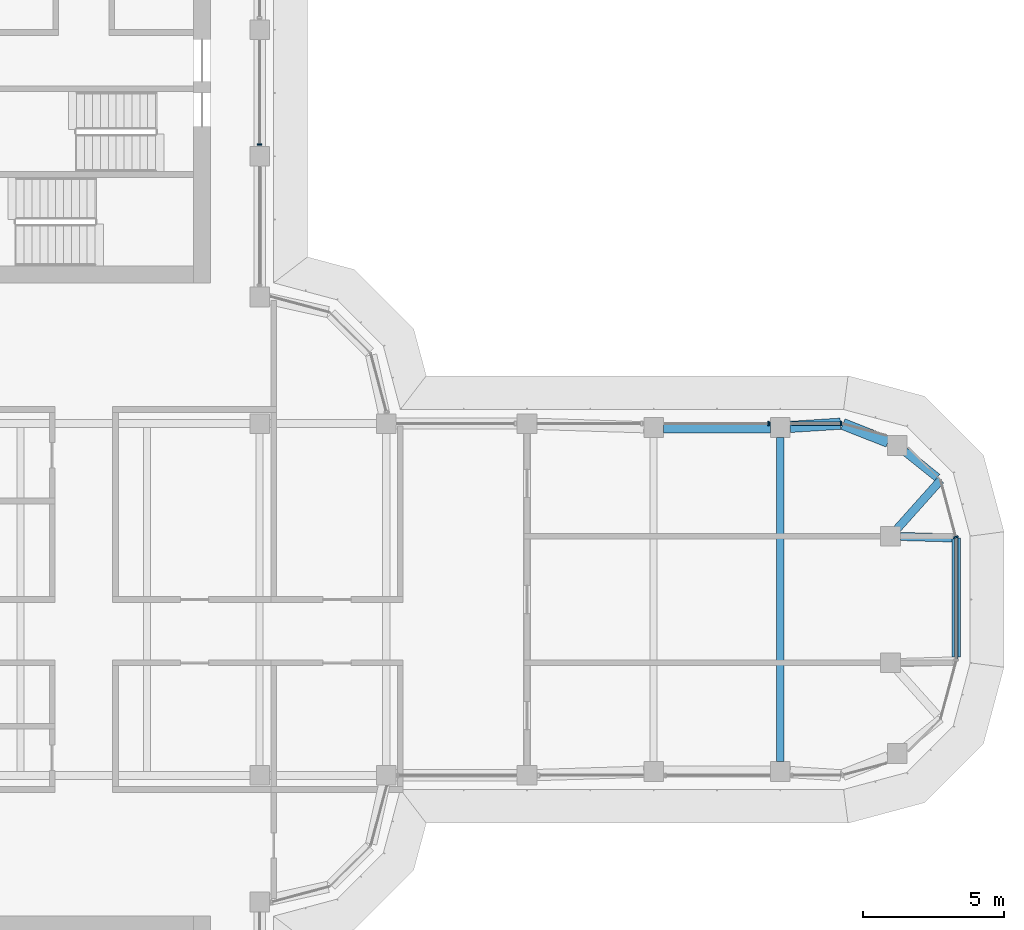
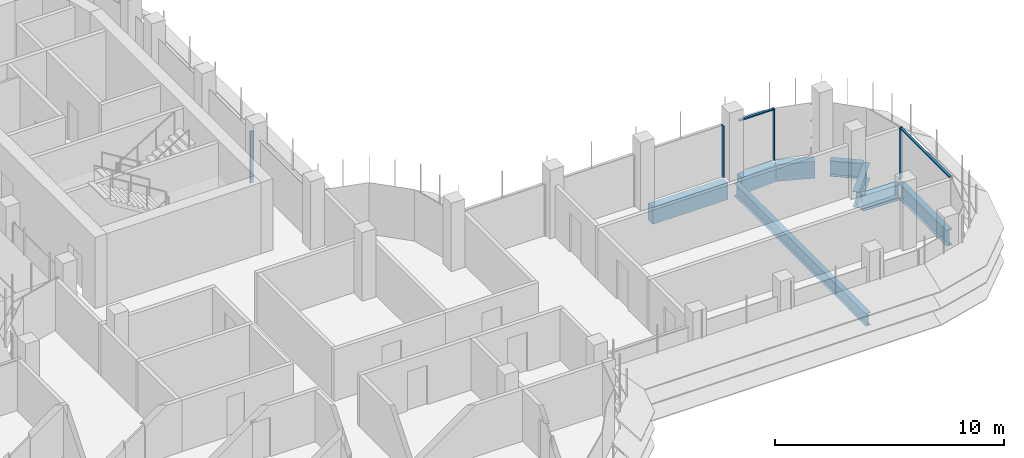
# One storey, part 9 of 19: 8 beams, 6 members, 4 elements without a shape of their own.
"""IFC4 building model written with IfcOpenShell, lengths in metres."""

from ifc_helpers import new_model, si_unit, direction, frame, origin, origin_2d, place, context, subcontext, project, spatial, polyline, rectangle, i_section, outline, extrude, source, transform, mapped, material, material_profile, profile_set, type_object, element, aggregate, save


model = new_model("IFC4")

# Units and contexts
model_context = context("Model", 3, precision=1e-05, world=origin(), true_north=direction((0.0, 1.0)))
body_context = subcontext(model_context, "Body", "Model", "MODEL_VIEW")
ifc_project = project(units=[si_unit("LENGTHUNIT", "METRE"), si_unit("AREAUNIT", "SQUARE_METRE"), si_unit("VOLUMEUNIT", "CUBIC_METRE"), si_unit("PLANEANGLEUNIT", "RADIAN"), si_unit("MASSUNIT", "GRAM", prefix="KILO")], contexts=[model_context])

# Site, building, storey
site_placement = place(None, origin())
site = spatial("IfcSite", under=ifc_project, at=site_placement, CompositionType="ELEMENT")
building_placement = place(site_placement, origin())
building = spatial("IfcBuilding", under=site, at=building_placement, Name="Zarbagh Exchange Tower", CompositionType="ELEMENT")
storey_placement = place(building_placement, frame((0.0, 0.0, 199.199951171875)))
storey = spatial("IfcBuildingStorey", under=building, at=storey_placement, Name="L48", CompositionType="ELEMENT", Elevation=199.199951171875)

# Beams
ifc_material_1 = material(Name="Steel ASTM A992 Gr 50", Category="steel")
ifc_material_profile_1 = material_profile(ifc_material_1, i_section(OverallWidth=0.25390625, OverallDepth=0.67822265625, WebThickness=0.01171875, FlangeThickness=0.016357421875, at=origin_2d()), Name="W27X84")
ifc_profile_set_1 = profile_set([ifc_material_profile_1], Name="Steel ASTM A992 Gr 50")
beam_type_1 = type_object("IfcBeamType", Name="Floor beam W27X84", PredefinedType="BEAM", material=ifc_profile_set_1)
beam_1_placement = place(storey_placement, frame((24.75, -5.760009765625, -0.489013671875), z_axis=(0.0, 1.0, 0.0), x_axis=(-1.0, 0.0, 0.0)))
element("IfcBeam", 1, at=beam_1_placement, inside=storey, type_object=beam_type_1, Name="Steel floor beam", PredefinedType="BEAM", context=body_context, shape_type="SweptSolid", body=[
    extrude(i_section(OverallWidth=0.25390625, OverallDepth=0.67822265625, WebThickness=0.01171875, FlangeThickness=0.016357421875, at=origin_2d()), origin(), (0.0, 0.0, 1.0), 11.52001953125),
])
ifc_material_profile_2 = material_profile(ifc_material_1, i_section(OverallWidth=0.2919921875, OverallDepth=0.835693359375, WebThickness=0.013916015625, FlangeThickness=0.018798828125, at=origin_2d()), Name="W33X118")
ifc_profile_set_2 = profile_set([ifc_material_profile_2], Name="Steel ASTM A992 Gr 50")
beam_type_2 = type_object("IfcBeamType", Name="Floor girder W33X118", PredefinedType="BEAM", material=ifc_profile_set_2)
beam_2_placement = place(storey_placement, frame((29.18115234375, 5.256103515625, -0.56787109375), z_axis=(0.780625690962, -0.624998824487, 0.0), x_axis=(0.624998824487, 0.780625690962, 0.0)))
element("IfcBeam", 2, at=beam_2_placement, inside=storey, type_object=beam_type_2, Name="Steel girder", PredefinedType="BEAM", context=body_context, shape_type="SweptSolid", body=[
    extrude(i_section(OverallWidth=0.2919921875, OverallDepth=0.835693359375, WebThickness=0.013916015625, FlangeThickness=0.018798828125, at=origin_2d()), origin(), (0.0, 0.0, 1.0), 1.469970703125),
])
beam_3_placement = place(storey_placement, frame((30.44873046875, 4.2412109375, -0.56787109375), z_axis=(-0.66615169279, -0.745816279115, 0.0), x_axis=(0.745816279115, -0.66615169279, 0.0)))
element("IfcBeam", 3, at=beam_3_placement, inside=storey, type_object=beam_type_2, Name="Steel girder", PredefinedType="BEAM", context=body_context, shape_type="SweptSolid", body=[
    extrude(i_section(OverallWidth=0.2919921875, OverallDepth=0.835693359375, WebThickness=0.013916015625, FlangeThickness=0.018798828125, at=origin_2d()), origin(), (0.0, 0.0, 1.0), 2.31982421875),
])
beam_4_placement = place(storey_placement, frame((29.02001953125, 2.239990234375, -0.56787109375), z_axis=(0.999603805015, -0.028146633904, 0.0), x_axis=(0.028146633904, 0.999603805015, 0.0)))
element("IfcBeam", 4, at=beam_4_placement, inside=storey, type_object=beam_type_2, Name="Steel girder", PredefinedType="BEAM", context=body_context, shape_type="SweptSolid", body=[
    extrude(i_section(OverallWidth=0.2919921875, OverallDepth=0.835693359375, WebThickness=0.013916015625, FlangeThickness=0.018798828125, at=origin_2d()), origin(), (0.0, 0.0, 1.0), 1.8388671875),
])
beam_5_placement = place(storey_placement, frame((31.0, 2.18408203125, -0.56787109375), z_axis=(0.0, -1.0, 0.0), x_axis=(1.0, 0.0, 0.0)))
element("IfcBeam", 5, at=beam_5_placement, inside=storey, type_object=beam_type_2, Name="Steel girder", PredefinedType="BEAM", context=body_context, shape_type="SweptSolid", body=[
    extrude(i_section(OverallWidth=0.2919921875, OverallDepth=0.835693359375, WebThickness=0.013916015625, FlangeThickness=0.018798828125, at=origin_2d()), origin(), (0.0, 0.0, 1.0), 4.226318359375),
])
ifc_material_2 = material(Name="Concrete C50/60", Category="concrete")
ifc_material_profile_3 = material_profile(ifc_material_2, rectangle(XDim=0.39990234375, YDim=0.89990234375, at=origin_2d()), Name="RC spandrel beam 400 x 900 C50/60")
ifc_profile_set_3 = profile_set([ifc_material_profile_3], Name="Concrete C50/60")
beam_type_3 = type_object("IfcBeamType", Name="RC spandrel beam 400 x 900 C50/60", PredefinedType="SPANDREL", material=ifc_profile_set_3)
beam_6_placement = place(storey_placement, frame((20.60009765625, 6.110107421875, -0.599853515625), z_axis=(1.0, 0.0, 0.0), x_axis=(0.0, 1.0, 0.0)))
element("IfcBeam", 6, at=beam_6_placement, inside=storey, type_object=beam_type_3, Name="RC spandrel beam", PredefinedType="SPANDREL", context=body_context, shape_type="SweptSolid", body=[
    extrude(rectangle(XDim=0.39990234375, YDim=0.89990234375, at=origin_2d()), origin(), (0.0, 0.0, 1.0), 3.7998046875),
])
beam_7_placement = place(storey_placement, frame((25.099365234375, 6.13232421875, -0.599853515625), z_axis=(0.997943601797, 0.064098109429, 0.0), x_axis=(-0.064098109429, 0.997943601797, 0.0)))
element("IfcBeam", 7, at=beam_7_placement, inside=storey, type_object=beam_type_3, Name="RC spandrel beam", PredefinedType="SPANDREL", context=body_context, shape_type="SweptSolid", body=[
    extrude(rectangle(XDim=0.39990234375, YDim=0.89990234375, at=origin_2d()), origin(), (0.0, 0.0, 1.0), 1.7939453125),
])
beam_8_placement = place(storey_placement, frame((26.9755859375, 6.233642578125, -0.599853515625), z_axis=(0.930818525178, -0.365481700207, 0.0), x_axis=(0.365481700207, 0.930818525178, 0.0)))
element("IfcBeam", 8, at=beam_8_placement, inside=storey, type_object=beam_type_3, Name="RC spandrel beam", PredefinedType="SPANDREL", context=body_context, shape_type="SweptSolid", body=[
    extrude(rectangle(XDim=0.39990234375, YDim=0.89990234375, at=origin_2d()), origin(), (0.0, 0.0, 1.0), 1.72607421875),
])

# Curtain wall, member
ifc_material_3 = material(Name="Anodised aluminium frame and glazing", Category="aluminium")
curtain_wall_type = type_object("IfcCurtainWallType", Name="CWB Ribbon glazing, upper zones", PredefinedType="NOTDEFINED", material=ifc_material_3)
curtain_wall_1_placement = place(storey_placement, origin())
curtain_wall_1 = element("IfcCurtainWall", 9, at=curtain_wall_1_placement, inside=storey, type_object=curtain_wall_type, Name="CWB13 curtain wall", PredefinedType="NOTDEFINED")
ifc_material_4 = material(Name="Anodised aluminium frame", Category="aluminium")
member_type_1 = type_object("IfcMemberType", Name="MUB Mullion, anodised aluminium frame", PredefinedType="MULLION", material=ifc_material_4)
shared_shape_1 = source(origin(), body_context, "Body", "SweptSolid", [
    extrude(outline(polyline([(0.0, -0.080078125), (0.06005859375, -0.080078125), (0.06005859375, 0.080078125), (0.0, 0.080078125), (0.0, -0.080078125)])), origin(), (0.0, 0.0, 1.0), 2.75),
])
placement = place(storey_placement, origin())
member_1 = element("IfcMember", 10, at=placement, type_object=member_type_1, Name="CWB13 mullion 1.1", PredefinedType="MULLION", context=body_context, shape_type="MappedRepresentation", body=[
    mapped(shared_shape_1, transform((31.0, 2.18408203125, 0.0), x_axis=(-0.258824779902, 0.965924289636, 0.0), y_axis=(-0.965924289636, -0.258824779902, 0.0), z_axis=(0.0, 0.0, 1.0))),
])
aggregate(curtain_wall_1, [member_1])

# Curtain wall, members
curtain_wall_2_placement = place(storey_placement, origin())
curtain_wall_2 = element("IfcCurtainWall", 11, at=curtain_wall_2_placement, inside=storey, type_object=curtain_wall_type, Name="CWB16 curtain wall", PredefinedType="NOTDEFINED")
member_2 = element("IfcMember", 12, at=placement, type_object=member_type_1, Name="CWB16 mullion 1.1", PredefinedType="MULLION", context=body_context, shape_type="MappedRepresentation", body=[
    mapped(shared_shape_1, transform((26.93408203125, 6.25, 0.0), x_axis=(-1.0, 0.0, 0.0), y_axis=(0.0, -1.0, 0.0), z_axis=(0.0, 0.0, 1.0))),
])
member_3 = element("IfcMember", 13, at=placement, type_object=member_type_1, Name="CWB16 mullion 2.1", PredefinedType="MULLION", context=body_context, shape_type="MappedRepresentation", body=[
    mapped(shared_shape_1, transform((24.35986328125, 6.25, 0.0), x_axis=(-1.0, 0.0, 0.0), y_axis=(0.0, -1.0, 0.0), z_axis=(0.0, 0.0, 1.0))),
])

# Curtain wall, member
curtain_wall_3_placement = place(storey_placement, origin())
curtain_wall_3 = element("IfcCurtainWall", 14, at=curtain_wall_3_placement, inside=storey, type_object=curtain_wall_type, Name="CWB20 curtain wall", PredefinedType="NOTDEFINED")
member_4 = element("IfcMember", 15, at=placement, type_object=member_type_1, Name="CWB20 mullion 2.1", PredefinedType="MULLION", context=body_context, shape_type="MappedRepresentation", body=[
    mapped(shared_shape_1, transform((6.25, 16.14013671875, 0.0), x_axis=(0.0, 1.0, 0.0), y_axis=(-1.0, 0.0, 0.0), z_axis=(0.0, 0.0, 1.0))),
])
aggregate(curtain_wall_3, [member_4])

# Member
member_type_2 = type_object("IfcMemberType", Name="TRB Transom, anodised aluminium frame", PredefinedType="USERDEFINED", material=ifc_material_4)
shared_shape_2 = source(origin(), body_context, "Body", "SweptSolid", [
    extrude(outline(polyline([(-0.06005859375, -0.06005859375), (0.0, -0.06005859375), (0.0, 0.06005859375), (-0.06005859375, 0.06005859375), (-0.06005859375, -0.06005859375)])), origin(), (0.0, 0.0, 1.0), 1.734130859375),
])
member_5 = element("IfcMember", 16, at=placement, type_object=member_type_2, Name="CWB16 transom 1.1", ObjectType="TRANSOM", PredefinedType="USERDEFINED", context=body_context, shape_type="MappedRepresentation", body=[
    mapped(shared_shape_2, transform((26.874267578125, 6.25, 2.75), x_axis=(0.0, 0.0, 1.0), y_axis=(0.0, 1.0, 0.0), z_axis=(-1.0, 0.0, 0.0))),
])

aggregate(curtain_wall_2, [member_2, member_5, member_3])

# Curtain wall, member
curtain_wall_4_placement = place(storey_placement, origin())
curtain_wall_4 = element("IfcCurtainWall", 17, at=curtain_wall_4_placement, inside=storey, type_object=curtain_wall_type, Name="CWB12 curtain wall", PredefinedType="NOTDEFINED")
shared_shape_3 = source(origin(), body_context, "Body", "SweptSolid", [
    extrude(outline(polyline([(-0.06005859375, -0.06005859375), (0.0, -0.06005859375), (0.0, 0.06005859375), (-0.06005859375, 0.06005859375), (-0.06005859375, -0.06005859375)])), origin(), (0.0, 0.0, 1.0), 4.308349609375),
])
member_6 = element("IfcMember", 18, at=placement, type_object=member_type_2, Name="CWB12 transom 1.1", ObjectType="TRANSOM", PredefinedType="USERDEFINED", context=body_context, shape_type="MappedRepresentation", body=[
    mapped(shared_shape_3, transform((31.0, -2.124267578125, 2.75), x_axis=(0.0, 0.0, 1.0), y_axis=(1.0, 0.0, 0.0), z_axis=(0.0, 1.0, 0.0))),
])
aggregate(curtain_wall_4, [member_6])

save(model, "model.ifc")
